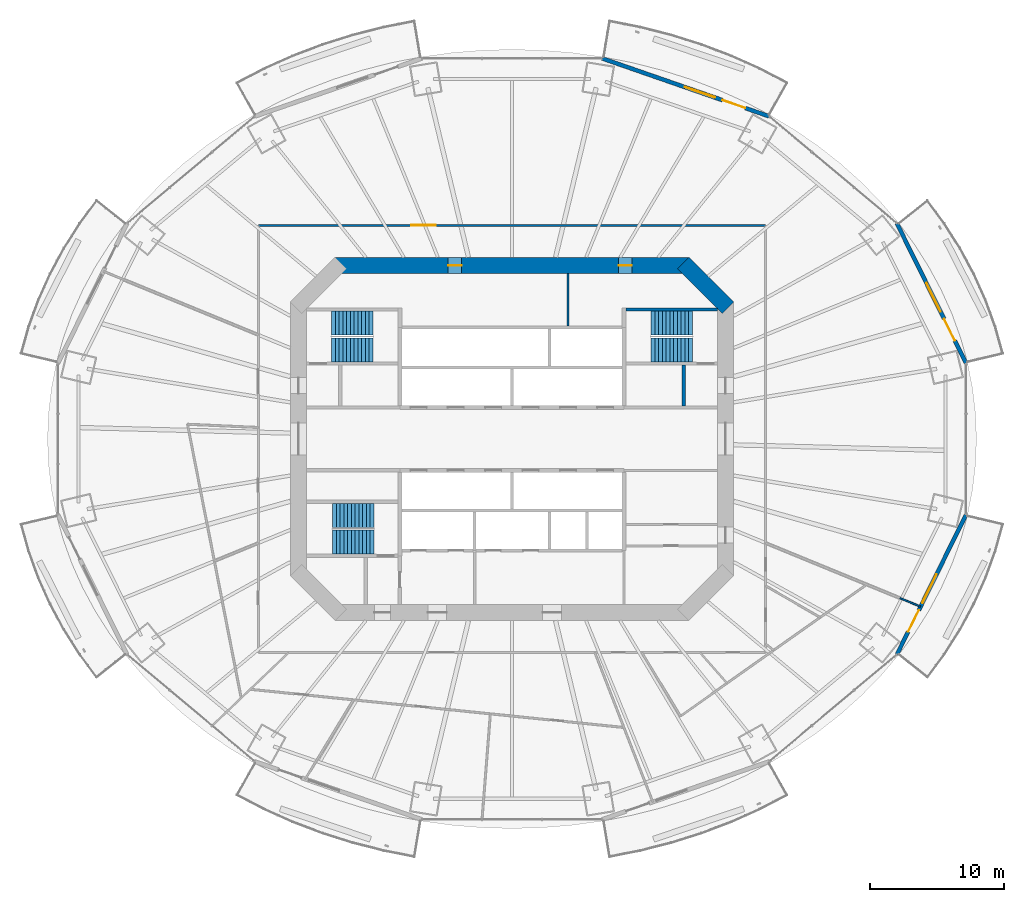
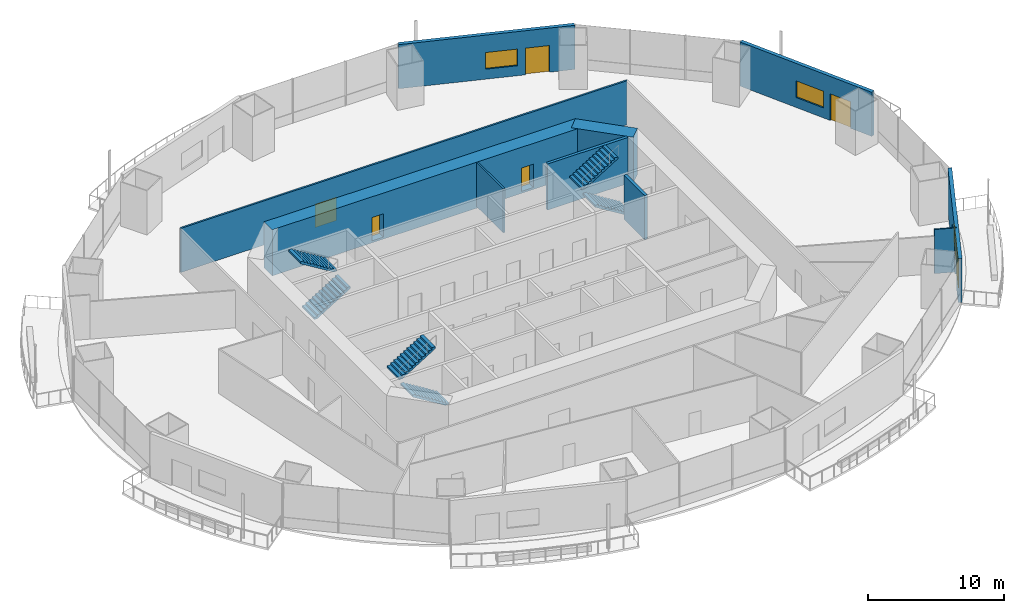
# One storey, part 16 of 22: 10 walls, 6 doors, 6 stair flights, 3 windows, 9 openings, 3 elements without a shape of their own.
"""IFC4 building model written with IfcOpenShell, lengths in metres."""

from ifc_helpers import new_model, si_unit, direction, frame, frame_2d, origin, place, context, subcontext, project, spatial, polyline, rectangle, outline, extrude, material, layer, layer_set, type_object, element, fill, aggregate, save


model = new_model("IFC4")

# Units and contexts
model_context = context("Model", 3, precision=1e-05, world=origin(), true_north=direction((0.0, 1.0)))
body_context = subcontext(model_context, "Body", "Model", "MODEL_VIEW")
ifc_project = project(units=[si_unit("LENGTHUNIT", "METRE"), si_unit("AREAUNIT", "SQUARE_METRE"), si_unit("VOLUMEUNIT", "CUBIC_METRE"), si_unit("PLANEANGLEUNIT", "RADIAN"), si_unit("MASSUNIT", "GRAM", prefix="KILO")], contexts=[model_context])

# Site, building, storey
site_placement = place(None, origin())
site = spatial("IfcSite", under=ifc_project, at=site_placement, CompositionType="ELEMENT")
building_placement = place(site_placement, origin())
building = spatial("IfcBuilding", under=site, at=building_placement, Name="Marenthal Gate Tower", CompositionType="ELEMENT")
storey_placement = place(building_placement, frame((0.0, 0.0, 95.25)))
storey = spatial("IfcBuildingStorey", under=building, at=storey_placement, Name="L19", CompositionType="ELEMENT", Elevation=95.25)

# Wall
ifc_material_1 = material(Name="Concrete 60 MPa", Category="concrete")
ifc_layer_1 = layer(ifc_material_1, 1.199951171875)
ifc_layer_set_1 = layer_set([ifc_layer_1], Name="Core shear wall 1200")
wall_type_1 = type_object("IfcWallType", Name="Core shear wall 1200", PredefinedType="SHEAR", material=ifc_layer_set_1)
wall_1_placement = place(storey_placement, frame((16.17578125, 9.82421875, -0.179931640625), z_axis=(0.0, 0.0, 1.0), x_axis=(-0.707106781187, 0.707106781187, 0.0)))
element("IfcWall", 1, at=wall_1_placement, inside=storey, type_object=wall_type_1, Name="Core wall 03", PredefinedType="SHEAR", context=body_context, shape_type="SweptSolid", body=[
    extrude(rectangle(XDim=4.73974609375, YDim=1.199951171875, at=frame_2d((2.369873046875, 0.0))), origin(), (0.0, 0.0, 1.0), 4.14990234375),
])

# Wall, openings, doors
wall_2_placement = place(storey_placement, frame((13.24853515625, 13.0, -0.179931640625), z_axis=(0.0, 0.0, 1.0), x_axis=(-1.0, 0.0, 0.0)))
wall_2 = element("IfcWall", 2, at=wall_2_placement, inside=storey, type_object=wall_type_1, Name="Core wall 04", PredefinedType="SHEAR", context=body_context, shape_type="SweptSolid", body=[
    extrude(rectangle(XDim=26.4970703125, YDim=1.199951171875, at=frame_2d((13.24853515625, 0.0))), origin(), (0.0, 0.0, 1.0), 4.14990234375),
])
opening_1_placement = place(wall_2_placement, frame((17.0244140625, 0.0, 0.179931640625)))
opening_1 = element("IfcOpeningElement", 3, at=opening_1_placement, cuts=wall_2, Name="Opening D005.01", PredefinedType="OPENING", context=body_context, shape_type="SweptSolid", body=[
    extrude(rectangle(XDim=1.0, YDim=2.10009765625, at=frame_2d((0.5, 1.050048828125))), frame((0.0, 0.60986328125, 0.0), z_axis=(0.0, -1.0, 0.0), x_axis=(1.0, 0.0, 0.0)), (0.0, 0.0, 1.0), 1.219970703125),
])
opening_2_placement = place(wall_2_placement, frame((4.2724609375, 0.0, 0.179931640625)))
opening_2 = element("IfcOpeningElement", 4, at=opening_2_placement, cuts=wall_2, Name="Opening D005.02", PredefinedType="OPENING", context=body_context, shape_type="SweptSolid", body=[
    extrude(rectangle(XDim=1.0, YDim=2.10009765625, at=frame_2d((0.5, 1.050048828125))), frame((0.0, 0.60986328125, 0.0), z_axis=(0.0, -1.0, 0.0), x_axis=(1.0, 0.0, 0.0)), (0.0, 0.0, 1.0), 1.219970703125),
])
ifc_material_2 = material(Name="Steel fire door", Category="steel")
door_type_1 = type_object("IfcDoorType", Name="Fire door FD 45 1000 x 2100", OperationType="NOTDEFINED", PredefinedType="DOOR", material=ifc_material_2)
door_1_placement = place(opening_1_placement, origin())
door_1 = element("IfcDoor", 5, at=door_1_placement, inside=storey, type_object=door_type_1, Name="Door D005.01", OperationType="SINGLE_SWING_RIGHT", OverallHeight=2.10009765625, OverallWidth=1.0, PredefinedType="DOOR", context=body_context, shape_type="SweptSolid", body=[
    extrude(rectangle(XDim=1.0, YDim=2.10009765625, at=frame_2d((0.5, 1.050048828125))), frame((0.0, 0.02490234375, 0.0), z_axis=(0.0, -1.0, 0.0), x_axis=(1.0, 0.0, 0.0)), (0.0, 0.0, 1.0), 0.050048828125),
])
fill(opening_1, door_1)
door_2_placement = place(opening_2_placement, origin())
door_2 = element("IfcDoor", 6, at=door_2_placement, inside=storey, type_object=door_type_1, Name="Door D005.02", OperationType="SINGLE_SWING_RIGHT", OverallHeight=2.10009765625, OverallWidth=1.0, PredefinedType="DOOR", context=body_context, shape_type="SweptSolid", body=[
    extrude(rectangle(XDim=1.0, YDim=2.10009765625, at=frame_2d((0.5, 1.050048828125))), frame((0.0, 0.02490234375, 0.0), z_axis=(0.0, -1.0, 0.0), x_axis=(1.0, 0.0, 0.0)), (0.0, 0.0, 1.0), 0.050048828125),
])
fill(opening_2, door_2)

# Walls
ifc_material_3 = material(Name="Gypsum board on steel studs", Category="steel")
ifc_layer_2 = layer(ifc_material_3, 0.1201171875)
ifc_layer_set_2 = layer_set([ifc_layer_2], Name="Partition 120")
wall_type_2 = type_object("IfcWallType", Name="Partition 120", PredefinedType="PARTITIONING", material=ifc_layer_set_2)
wall_3_placement = place(storey_placement, frame((29.059326171875, -11.923828125, 0.0), z_axis=(0.0, 0.0, 1.0), x_axis=(0.925139536351, -0.379627235957, 0.0)))
element("IfcWall", 7, at=wall_3_placement, inside=storey, type_object=wall_type_2, Name="Partition wall 67", PredefinedType="PARTITIONING", context=body_context, shape_type="SweptSolid", body=[
    extrude(rectangle(XDim=1.6630859375, YDim=0.1201171875, at=frame_2d((0.83154296875, 0.0))), origin(), (0.0, 0.0, 1.0), 3.969970703125),
])
ifc_material_4 = material(Name="Gypsum board on steel studs", Category="steel")
ifc_layer_3 = layer(ifc_material_4, 0.14990234375)
ifc_layer_set_3 = layer_set([ifc_layer_3], Name="Partition 150")
wall_type_3 = type_object("IfcWallType", Name="Partition 150", PredefinedType="PARTITIONING", material=ifc_layer_set_3)
wall_4_placement = place(storey_placement, frame((4.199951171875, 8.4599609375, 0.0), z_axis=(0.0, 0.0, 1.0), x_axis=(0.0, 1.0, 0.0)))
element("IfcWall", 8, at=wall_4_placement, inside=storey, type_object=wall_type_3, Name="Partition wall 40", PredefinedType="PARTITIONING", context=body_context, shape_type="SweptSolid", body=[
    extrude(rectangle(XDim=3.93994140625, YDim=0.14990234375, at=frame_2d((1.969970703125, 0.0))), origin(), (0.0, 0.0, 1.0), 3.969970703125),
])

# Wall, opening, door
wall_5_placement = place(storey_placement, frame((-19.0, 16.0, 0.0), z_axis=(0.0, 0.0, 1.0), x_axis=(1.0, 0.0, 0.0)))
wall_5 = element("IfcWall", 9, at=wall_5_placement, inside=storey, type_object=wall_type_3, Name="Partition wall 53", PredefinedType="PARTITIONING", context=body_context, shape_type="SweptSolid", body=[
    extrude(rectangle(XDim=38.0, YDim=0.14990234375, at=frame_2d((19.0, 0.0))), origin(), (0.0, 0.0, 1.0), 3.969970703125),
])
opening_3_placement = place(wall_5_placement, frame((11.472900390625, 0.0, 0.0)))
opening_3 = element("IfcOpeningElement", 10, at=opening_3_placement, cuts=wall_5, Name="Opening D014.01", PredefinedType="OPENING", context=body_context, shape_type="SweptSolid", body=[
    extrude(rectangle(XDim=1.800048828125, YDim=2.10009765625, at=frame_2d((0.89990234375, 1.050048828125))), frame((0.0, 0.0849609375, 0.0), z_axis=(0.0, -1.0, 0.0), x_axis=(1.0, 0.0, 0.0)), (0.0, 0.0, 1.0), 0.169921875),
])
ifc_material_5 = material(Name="Timber door", Category="wood")
door_type_2 = type_object("IfcDoorType", Name="Double door 1800 x 2100", OperationType="DOUBLE_DOOR_SINGLE_SWING", PredefinedType="DOOR", material=ifc_material_5)
door_3_placement = place(opening_3_placement, origin())
door_3 = element("IfcDoor", 11, at=door_3_placement, inside=storey, type_object=door_type_2, Name="Door D014.01", OperationType="DOUBLE_DOOR_SINGLE_SWING", OverallHeight=2.10009765625, OverallWidth=1.800048828125, PredefinedType="DOOR", context=body_context, shape_type="SweptSolid", body=[
    extrude(rectangle(XDim=1.800048828125, YDim=2.10009765625, at=frame_2d((0.89990234375, 1.050048828125))), frame((0.0, 0.02490234375, 0.0), z_axis=(0.0, -1.0, 0.0), x_axis=(1.0, 0.0, 0.0)), (0.0, 0.0, 1.0), 0.050048828125),
])
fill(opening_3, door_3)

# Walls
ifc_material_6 = material(Name="Concrete 40 MPa", Category="concrete")
ifc_layer_4 = layer(ifc_material_6, 0.25)
ifc_layer_set_4 = layer_set([ifc_layer_4], Name="Stair enclosure wall 250")
wall_type_4 = type_object("IfcWallType", Name="Stair enclosure wall 250", PredefinedType="STANDARD", material=ifc_layer_set_4)
wall_6_placement = place(storey_placement, frame((12.85009765625, 2.47509765625, 0.0), z_axis=(0.0, 0.0, 1.0), x_axis=(0.0, 1.0, 0.0)))
element("IfcWall", 12, at=wall_6_placement, inside=storey, type_object=wall_type_4, Name="Stair wall 46", PredefinedType="STANDARD", context=body_context, shape_type="SweptSolid", body=[
    extrude(rectangle(XDim=3.0498046875, YDim=0.25, at=frame_2d((1.52490234375, 0.0))), origin(), (0.0, 0.0, 1.0), 3.969970703125),
])
ifc_material_7 = material(Name="Concrete 50 MPa", Category="concrete")
ifc_layer_5 = layer(ifc_material_7, 0.25)
ifc_layer_set_5 = layer_set([ifc_layer_5], Name="Stair shear wall 250")
wall_type_5 = type_object("IfcWallType", Name="Stair shear wall 250", PredefinedType="SHEAR", material=ifc_layer_set_5)
wall_7_placement = place(storey_placement, frame((8.550048828125, 9.699951171875, -0.179931640625), z_axis=(0.0, 0.0, 1.0), x_axis=(1.0, 0.0, 0.0)))
element("IfcWall", 13, at=wall_7_placement, inside=storey, type_object=wall_type_5, Name="Stair wall 27", PredefinedType="SHEAR", context=body_context, shape_type="SweptSolid", body=[
    extrude(rectangle(XDim=6.849853515625, YDim=0.25, at=frame_2d((3.4248046875, 0.0))), origin(), (0.0, 0.0, 1.0), 4.14990234375),
])

# Wall, openings, door, window
ifc_material_8 = material(Name="Terracotta cladding on insulated concrete-block backing", Category="masonry")
ifc_layer_6 = layer(ifc_material_8, 0.300048828125)
ifc_layer_set_6 = layer_set([ifc_layer_6], Name="Terracotta facade wall 300")
wall_type_6 = type_object("IfcWallType", Name="Terracotta facade wall 300", PredefinedType="SOLIDWALL", material=ifc_layer_set_6)
wall_8_placement = place(storey_placement, frame((34.001953125, 5.66796875, 0.0), z_axis=(0.0, 0.0, 1.0), x_axis=(-0.4430961796, 0.896474079728, 0.0)))
wall_8 = element("IfcWall", 14, at=wall_8_placement, inside=storey, type_object=wall_type_6, Name="Terracotta facade wall L19 bay 1", PredefinedType="SOLIDWALL", context=body_context, shape_type="SweptSolid", body=[
    extrude(rectangle(XDim=11.6826171875, YDim=0.300048828125, at=frame_2d((5.84130859375, 0.0))), origin(), (0.0, 0.0, 1.0), 3.969970703125),
])
opening_4_placement = place(wall_8_placement, frame((1.89990234375, 0.0, 0.0)))
opening_4 = element("IfcOpeningElement", 15, at=opening_4_placement, cuts=wall_8, Name="Opening BD-L19-01", PredefinedType="OPENING", context=body_context, shape_type="SweptSolid", body=[
    extrude(rectangle(XDim=1.800048828125, YDim=2.39990234375, at=frame_2d((0.89990234375, 1.199951171875))), frame((0.0, 0.16015625, 0.0), z_axis=(0.0, -1.0, 0.0), x_axis=(1.0, 0.0, 0.0)), (0.0, 0.0, 1.0), 0.320068359375),
])
opening_5_placement = place(wall_8_placement, frame((4.300048828125, 0.0, 0.89990234375)))
opening_5 = element("IfcOpeningElement", 16, at=opening_5_placement, cuts=wall_8, Name="Opening WN1-L19-01", PredefinedType="OPENING", context=body_context, shape_type="SweptSolid", body=[
    extrude(rectangle(XDim=2.39990234375, YDim=1.5, at=frame_2d((1.199951171875, 0.75))), frame((0.0, 0.16015625, 0.0), z_axis=(0.0, -1.0, 0.0), x_axis=(1.0, 0.0, 0.0)), (0.0, 0.0, 1.0), 0.320068359375),
])
ifc_material_9 = material(Name="Aluminium and glass", Category="aluminium")
door_type_3 = type_object("IfcDoorType", Name="Balcony door 1800x2400", OperationType="DOUBLE_DOOR_SINGLE_SWING", PredefinedType="DOOR", material=ifc_material_9)
door_4_placement = place(opening_4_placement, origin())
door_4 = element("IfcDoor", 17, at=door_4_placement, inside=storey, type_object=door_type_3, Name="Balcony door L19 bay 1", OperationType="SINGLE_SWING_LEFT", OverallHeight=2.39990234375, OverallWidth=1.800048828125, PredefinedType="DOOR", context=body_context, shape_type="SweptSolid", body=[
    extrude(rectangle(XDim=1.800048828125, YDim=2.39990234375, at=frame_2d((0.89990234375, 1.199951171875))), frame((0.0, 0.02490234375, 0.0), z_axis=(0.0, -1.0, 0.0), x_axis=(1.0, 0.0, 0.0)), (0.0, 0.0, 1.0), 0.050048828125),
])
fill(opening_4, door_4)
ifc_material_10 = material(Name="Aluminium and glass", Category="aluminium")
window_type = type_object("IfcWindowType", Name="Window 2400x1500", PartitioningType="TRIPLE_PANEL_VERTICAL", PredefinedType="WINDOW", material=ifc_material_10)
window_1_placement = place(opening_5_placement, origin())
window_1 = element("IfcWindow", 18, at=window_1_placement, inside=storey, type_object=window_type, Name="Window L19 bay 1", OverallHeight=1.5, OverallWidth=2.39990234375, PartitioningType="SINGLE_PANEL", PredefinedType="WINDOW", context=body_context, shape_type="SweptSolid", body=[
    extrude(rectangle(XDim=2.39990234375, YDim=1.5, at=frame_2d((1.199951171875, 0.75))), frame((0.0, 0.030029296875, 0.0), z_axis=(0.0, -1.0, 0.0), x_axis=(1.0, 0.0, 0.0)), (0.0, 0.0, 1.0), 0.06005859375),
])
fill(opening_5, window_1)

wall_9_placement = place(storey_placement, frame((19.260498046875, 24.15673828125, 0.0), z_axis=(0.0, 0.0, 1.0), x_axis=(-0.944700030718, 0.327935743647, 0.0)))
wall_9 = element("IfcWall", 19, at=wall_9_placement, inside=storey, type_object=wall_type_6, Name="Terracotta facade wall L19 bay 3", PredefinedType="SOLIDWALL", context=body_context, shape_type="SweptSolid", body=[
    extrude(rectangle(XDim=13.228515625, YDim=0.300048828125, at=frame_2d((6.6142578125, 0.0))), origin(), (0.0, 0.0, 1.0), 3.969970703125),
])
opening_6_placement = place(wall_9_placement, frame((1.89990234375, 0.0, 0.0)))
opening_6 = element("IfcOpeningElement", 20, at=opening_6_placement, cuts=wall_9, Name="Opening BD-L19-03", PredefinedType="OPENING", context=body_context, shape_type="SweptSolid", body=[
    extrude(rectangle(XDim=1.800048828125, YDim=2.39990234375, at=frame_2d((0.89990234375, 1.199951171875))), frame((0.0, 0.16015625, 0.0), z_axis=(0.0, -1.0, 0.0), x_axis=(1.0, 0.0, 0.0)), (0.0, 0.0, 1.0), 0.320068359375),
])
opening_7_placement = place(wall_9_placement, frame((4.300048828125, 0.0, 0.89990234375)))
opening_7 = element("IfcOpeningElement", 21, at=opening_7_placement, cuts=wall_9, Name="Opening WN1-L19-03", PredefinedType="OPENING", context=body_context, shape_type="SweptSolid", body=[
    extrude(rectangle(XDim=2.39990234375, YDim=1.5, at=frame_2d((1.199951171875, 0.75))), frame((0.0, 0.16015625, 0.0), z_axis=(0.0, -1.0, 0.0), x_axis=(1.0, 0.0, 0.0)), (0.0, 0.0, 1.0), 0.320068359375),
])
door_5_placement = place(opening_6_placement, origin())
door_5 = element("IfcDoor", 22, at=door_5_placement, inside=storey, type_object=door_type_3, Name="Balcony door L19 bay 3", OperationType="SINGLE_SWING_LEFT", OverallHeight=2.39990234375, OverallWidth=1.800048828125, PredefinedType="DOOR", context=body_context, shape_type="SweptSolid", body=[
    extrude(rectangle(XDim=1.800048828125, YDim=2.39990234375, at=frame_2d((0.89990234375, 1.199951171875))), frame((0.0, 0.02490234375, 0.0), z_axis=(0.0, -1.0, 0.0), x_axis=(1.0, 0.0, 0.0)), (0.0, 0.0, 1.0), 0.050048828125),
])
fill(opening_6, door_5)
window_2_placement = place(opening_7_placement, origin())
window_2 = element("IfcWindow", 23, at=window_2_placement, inside=storey, type_object=window_type, Name="Window L19 bay 3", OverallHeight=1.5, OverallWidth=2.39990234375, PartitioningType="SINGLE_PANEL", PredefinedType="WINDOW", context=body_context, shape_type="SweptSolid", body=[
    extrude(rectangle(XDim=2.39990234375, YDim=1.5, at=frame_2d((1.199951171875, 0.75))), frame((0.0, 0.030029296875, 0.0), z_axis=(0.0, -1.0, 0.0), x_axis=(1.0, 0.0, 0.0)), (0.0, 0.0, 1.0), 0.06005859375),
])
fill(opening_7, window_2)

wall_10_placement = place(storey_placement, frame((28.825439453125, -16.14111328125, 0.0), z_axis=(0.0, 0.0, 1.0), x_axis=(0.4430961796, 0.896474079728, 0.0)))
wall_10 = element("IfcWall", 24, at=wall_10_placement, inside=storey, type_object=wall_type_6, Name="Terracotta facade wall L19 bay 15", PredefinedType="SOLIDWALL", context=body_context, shape_type="SweptSolid", body=[
    extrude(rectangle(XDim=11.6826171875, YDim=0.300048828125, at=frame_2d((5.84130859375, 0.0))), origin(), (0.0, 0.0, 1.0), 3.969970703125),
])
opening_8_placement = place(wall_10_placement, frame((1.89990234375, 0.0, 0.0)))
opening_8 = element("IfcOpeningElement", 25, at=opening_8_placement, cuts=wall_10, Name="Opening BD-L19-15", PredefinedType="OPENING", context=body_context, shape_type="SweptSolid", body=[
    extrude(rectangle(XDim=1.800048828125, YDim=2.39990234375, at=frame_2d((0.89990234375, 1.199951171875))), frame((0.0, 0.16015625, 0.0), z_axis=(0.0, -1.0, 0.0), x_axis=(1.0, 0.0, 0.0)), (0.0, 0.0, 1.0), 0.320068359375),
])
opening_9_placement = place(wall_10_placement, frame((4.300048828125, 0.0, 0.89990234375)))
opening_9 = element("IfcOpeningElement", 26, at=opening_9_placement, cuts=wall_10, Name="Opening WN1-L19-15", PredefinedType="OPENING", context=body_context, shape_type="SweptSolid", body=[
    extrude(rectangle(XDim=2.39990234375, YDim=1.5, at=frame_2d((1.199951171875, 0.75))), frame((0.0, 0.16015625, 0.0), z_axis=(0.0, -1.0, 0.0), x_axis=(1.0, 0.0, 0.0)), (0.0, 0.0, 1.0), 0.320068359375),
])
door_6_placement = place(opening_8_placement, origin())
door_6 = element("IfcDoor", 27, at=door_6_placement, inside=storey, type_object=door_type_3, Name="Balcony door L19 bay 15", OperationType="SINGLE_SWING_LEFT", OverallHeight=2.39990234375, OverallWidth=1.800048828125, PredefinedType="DOOR", context=body_context, shape_type="SweptSolid", body=[
    extrude(rectangle(XDim=1.800048828125, YDim=2.39990234375, at=frame_2d((0.89990234375, 1.199951171875))), frame((0.0, 0.02490234375, 0.0), z_axis=(0.0, -1.0, 0.0), x_axis=(1.0, 0.0, 0.0)), (0.0, 0.0, 1.0), 0.050048828125),
])
fill(opening_8, door_6)
window_3_placement = place(opening_9_placement, origin())
window_3 = element("IfcWindow", 28, at=window_3_placement, inside=storey, type_object=window_type, Name="Window L19 bay 15", OverallHeight=1.5, OverallWidth=2.39990234375, PartitioningType="SINGLE_PANEL", PredefinedType="WINDOW", context=body_context, shape_type="SweptSolid", body=[
    extrude(rectangle(XDim=2.39990234375, YDim=1.5, at=frame_2d((1.199951171875, 0.75))), frame((0.0, 0.030029296875, 0.0), z_axis=(0.0, -1.0, 0.0), x_axis=(1.0, 0.0, 0.0)), (0.0, 0.0, 1.0), 0.06005859375),
])
fill(opening_9, window_3)

# Stair, stair flights
ifc_material_11 = material(Name="Concrete 40 MPa", Category="concrete")
stair_type = type_object("IfcStairType", Name="Exit stair 1800", PredefinedType="HALF_TURN_STAIR", material=ifc_material_11)
stair_1_placement = place(storey_placement, origin())
stair_1 = element("IfcStair", 29, at=stair_1_placement, inside=storey, type_object=stair_type, Name="Stair ST1", PredefinedType="HALF_TURN_STAIR")
ifc_material_12 = material(Name="Concrete 40 MPa", Category="concrete")
stair_flight_type = type_object("IfcStairFlightType", Name="Stair flight 1800", PredefinedType="STRAIGHT", material=ifc_material_12)
stair_flight_1_placement = place(storey_placement, frame((-13.5, 6.675048828125, 0.0), z_axis=(0.0, 0.0, 1.0), x_axis=(1.0, 0.0, 0.0)))
stair_flight_1 = element("IfcStairFlight", 30, at=stair_flight_1_placement, type_object=stair_flight_type, Name="ST1 flight 1", NumberOfRisers=12, NumberOfTreads=11, PredefinedType="STRAIGHT", RiserHeight=0.172916667, TreadLength=0.28, context=body_context, shape_type="SweptSolid", body=[
    extrude(outline(polyline([(0.0, 0.0), (0.0, 0.1728515625), (0.280029296875, 0.1728515625), (0.280029296875, 0.345947265625), (0.56005859375, 0.345947265625), (0.56005859375, 0.518798828125), (0.840087890625, 0.518798828125), (0.840087890625, 0.691650390625), (1.1201171875, 0.691650390625), (1.1201171875, 0.864501953125), (1.39990234375, 0.864501953125), (1.39990234375, 1.03759765625), (1.679931640625, 1.03759765625), (1.679931640625, 1.21044921875), (1.9599609375, 1.21044921875), (1.9599609375, 1.38330078125), (2.239990234375, 1.38330078125), (2.239990234375, 1.55615234375), (2.52001953125, 1.55615234375), (2.52001953125, 1.729248046875), (2.800048828125, 1.729248046875), (2.800048828125, 1.902099609375), (3.080078125, 1.902099609375), (3.080078125, 2.074951171875), (3.080078125, 1.725830078125), (0.285400390625, 0.0), (0.0, 0.0)])), frame((0.0, 0.89990234375, 0.0), z_axis=(0.0, -1.0, 0.0), x_axis=(1.0, 0.0, 0.0)), (0.0, 0.0, 1.0), 1.800048828125),
])
stair_flight_2_placement = place(storey_placement, frame((-10.419921875, 8.675048828125, 2.074951171875), z_axis=(0.0, 0.0, 1.0), x_axis=(-1.0, 0.0, 0.0)))
stair_flight_2 = element("IfcStairFlight", 31, at=stair_flight_2_placement, type_object=stair_flight_type, Name="ST1 flight 2", NumberOfRisers=12, NumberOfTreads=11, PredefinedType="STRAIGHT", RiserHeight=0.172916667, TreadLength=0.28, context=body_context, shape_type="SweptSolid", body=[
    extrude(outline(polyline([(0.0, 0.0), (0.0, 0.1728515625), (0.280029296875, 0.1728515625), (0.280029296875, 0.345947265625), (0.56005859375, 0.345947265625), (0.56005859375, 0.518798828125), (0.840087890625, 0.518798828125), (0.840087890625, 0.691650390625), (1.1201171875, 0.691650390625), (1.1201171875, 0.864501953125), (1.39990234375, 0.864501953125), (1.39990234375, 1.03759765625), (1.679931640625, 1.03759765625), (1.679931640625, 1.21044921875), (1.9599609375, 1.21044921875), (1.9599609375, 1.38330078125), (2.239990234375, 1.38330078125), (2.239990234375, 1.55615234375), (2.52001953125, 1.55615234375), (2.52001953125, 1.729248046875), (2.800048828125, 1.729248046875), (2.800048828125, 1.902099609375), (3.080078125, 1.902099609375), (3.080078125, 2.074951171875), (3.080078125, 1.725830078125), (0.285400390625, 0.0), (0.0, 0.0)])), frame((0.0, 0.89990234375, 0.0), z_axis=(0.0, -1.0, 0.0), x_axis=(1.0, 0.0, 0.0)), (0.0, 0.0, 1.0), 1.800048828125),
])
aggregate(stair_1, [stair_flight_1, stair_flight_2])

stair_2_placement = place(storey_placement, origin())
stair_2 = element("IfcStair", 32, at=stair_2_placement, inside=storey, type_object=stair_type, Name="Stair ST2", PredefinedType="HALF_TURN_STAIR")
stair_flight_3_placement = place(storey_placement, frame((-10.35009765625, -7.72509765625, 0.0), z_axis=(0.0, 0.0, 1.0), x_axis=(-1.0, 0.0, 0.0)))
stair_flight_3 = element("IfcStairFlight", 33, at=stair_flight_3_placement, type_object=stair_flight_type, Name="ST2 flight 1", NumberOfRisers=12, NumberOfTreads=11, PredefinedType="STRAIGHT", RiserHeight=0.172916667, TreadLength=0.28, context=body_context, shape_type="SweptSolid", body=[
    extrude(outline(polyline([(0.0, 0.0), (0.0, 0.1728515625), (0.280029296875, 0.1728515625), (0.280029296875, 0.345947265625), (0.56005859375, 0.345947265625), (0.56005859375, 0.518798828125), (0.840087890625, 0.518798828125), (0.840087890625, 0.691650390625), (1.1201171875, 0.691650390625), (1.1201171875, 0.864501953125), (1.39990234375, 0.864501953125), (1.39990234375, 1.03759765625), (1.679931640625, 1.03759765625), (1.679931640625, 1.21044921875), (1.9599609375, 1.21044921875), (1.9599609375, 1.38330078125), (2.239990234375, 1.38330078125), (2.239990234375, 1.55615234375), (2.52001953125, 1.55615234375), (2.52001953125, 1.729248046875), (2.800048828125, 1.729248046875), (2.800048828125, 1.902099609375), (3.080078125, 1.902099609375), (3.080078125, 2.074951171875), (3.080078125, 1.725830078125), (0.285400390625, 0.0), (0.0, 0.0)])), frame((0.0, 0.89990234375, 0.0), z_axis=(0.0, -1.0, 0.0), x_axis=(1.0, 0.0, 0.0)), (0.0, 0.0, 1.0), 1.800048828125),
])
stair_flight_4_placement = place(storey_placement, frame((-13.429931640625, -5.72509765625, 2.074951171875), z_axis=(0.0, 0.0, 1.0), x_axis=(1.0, 0.0, 0.0)))
stair_flight_4 = element("IfcStairFlight", 34, at=stair_flight_4_placement, type_object=stair_flight_type, Name="ST2 flight 2", NumberOfRisers=12, NumberOfTreads=11, PredefinedType="STRAIGHT", RiserHeight=0.172916667, TreadLength=0.28, context=body_context, shape_type="SweptSolid", body=[
    extrude(outline(polyline([(0.0, 0.0), (0.0, 0.1728515625), (0.280029296875, 0.1728515625), (0.280029296875, 0.345947265625), (0.56005859375, 0.345947265625), (0.56005859375, 0.518798828125), (0.840087890625, 0.518798828125), (0.840087890625, 0.691650390625), (1.1201171875, 0.691650390625), (1.1201171875, 0.864501953125), (1.39990234375, 0.864501953125), (1.39990234375, 1.03759765625), (1.679931640625, 1.03759765625), (1.679931640625, 1.21044921875), (1.9599609375, 1.21044921875), (1.9599609375, 1.38330078125), (2.239990234375, 1.38330078125), (2.239990234375, 1.55615234375), (2.52001953125, 1.55615234375), (2.52001953125, 1.729248046875), (2.800048828125, 1.729248046875), (2.800048828125, 1.902099609375), (3.080078125, 1.902099609375), (3.080078125, 2.074951171875), (3.080078125, 1.725830078125), (0.285400390625, 0.0), (0.0, 0.0)])), frame((0.0, 0.89990234375, 0.0), z_axis=(0.0, -1.0, 0.0), x_axis=(1.0, 0.0, 0.0)), (0.0, 0.0, 1.0), 1.800048828125),
])
aggregate(stair_2, [stair_flight_3, stair_flight_4])

stair_3_placement = place(storey_placement, origin())
stair_3 = element("IfcStair", 35, at=stair_3_placement, inside=storey, type_object=stair_type, Name="Stair ST3", PredefinedType="HALF_TURN_STAIR")
stair_flight_5_placement = place(storey_placement, frame((13.5, 6.675048828125, 0.0), z_axis=(0.0, 0.0, 1.0), x_axis=(-1.0, 0.0, 0.0)))
stair_flight_5 = element("IfcStairFlight", 36, at=stair_flight_5_placement, type_object=stair_flight_type, Name="ST3 flight 1", NumberOfRisers=12, NumberOfTreads=11, PredefinedType="STRAIGHT", RiserHeight=0.172916667, TreadLength=0.28, context=body_context, shape_type="SweptSolid", body=[
    extrude(outline(polyline([(0.0, 0.0), (0.0, 0.1728515625), (0.280029296875, 0.1728515625), (0.280029296875, 0.345947265625), (0.56005859375, 0.345947265625), (0.56005859375, 0.518798828125), (0.840087890625, 0.518798828125), (0.840087890625, 0.691650390625), (1.1201171875, 0.691650390625), (1.1201171875, 0.864501953125), (1.39990234375, 0.864501953125), (1.39990234375, 1.03759765625), (1.679931640625, 1.03759765625), (1.679931640625, 1.21044921875), (1.9599609375, 1.21044921875), (1.9599609375, 1.38330078125), (2.239990234375, 1.38330078125), (2.239990234375, 1.55615234375), (2.52001953125, 1.55615234375), (2.52001953125, 1.729248046875), (2.800048828125, 1.729248046875), (2.800048828125, 1.902099609375), (3.080078125, 1.902099609375), (3.080078125, 2.074951171875), (3.080078125, 1.725830078125), (0.285400390625, 0.0), (0.0, 0.0)])), frame((0.0, 0.89990234375, 0.0), z_axis=(0.0, -1.0, 0.0), x_axis=(1.0, 0.0, 0.0)), (0.0, 0.0, 1.0), 1.800048828125),
])
stair_flight_6_placement = place(storey_placement, frame((10.419921875, 8.675048828125, 2.074951171875), z_axis=(0.0, 0.0, 1.0), x_axis=(1.0, 0.0, 0.0)))
stair_flight_6 = element("IfcStairFlight", 37, at=stair_flight_6_placement, type_object=stair_flight_type, Name="ST3 flight 2", NumberOfRisers=12, NumberOfTreads=11, PredefinedType="STRAIGHT", RiserHeight=0.172916667, TreadLength=0.28, context=body_context, shape_type="SweptSolid", body=[
    extrude(outline(polyline([(0.0, 0.0), (0.0, 0.1728515625), (0.280029296875, 0.1728515625), (0.280029296875, 0.345947265625), (0.56005859375, 0.345947265625), (0.56005859375, 0.518798828125), (0.840087890625, 0.518798828125), (0.840087890625, 0.691650390625), (1.1201171875, 0.691650390625), (1.1201171875, 0.864501953125), (1.39990234375, 0.864501953125), (1.39990234375, 1.03759765625), (1.679931640625, 1.03759765625), (1.679931640625, 1.21044921875), (1.9599609375, 1.21044921875), (1.9599609375, 1.38330078125), (2.239990234375, 1.38330078125), (2.239990234375, 1.55615234375), (2.52001953125, 1.55615234375), (2.52001953125, 1.729248046875), (2.800048828125, 1.729248046875), (2.800048828125, 1.902099609375), (3.080078125, 1.902099609375), (3.080078125, 2.074951171875), (3.080078125, 1.725830078125), (0.285400390625, 0.0), (0.0, 0.0)])), frame((0.0, 0.89990234375, 0.0), z_axis=(0.0, -1.0, 0.0), x_axis=(1.0, 0.0, 0.0)), (0.0, 0.0, 1.0), 1.800048828125),
])
aggregate(stair_3, [stair_flight_5, stair_flight_6])

save(model, "model.ifc")
